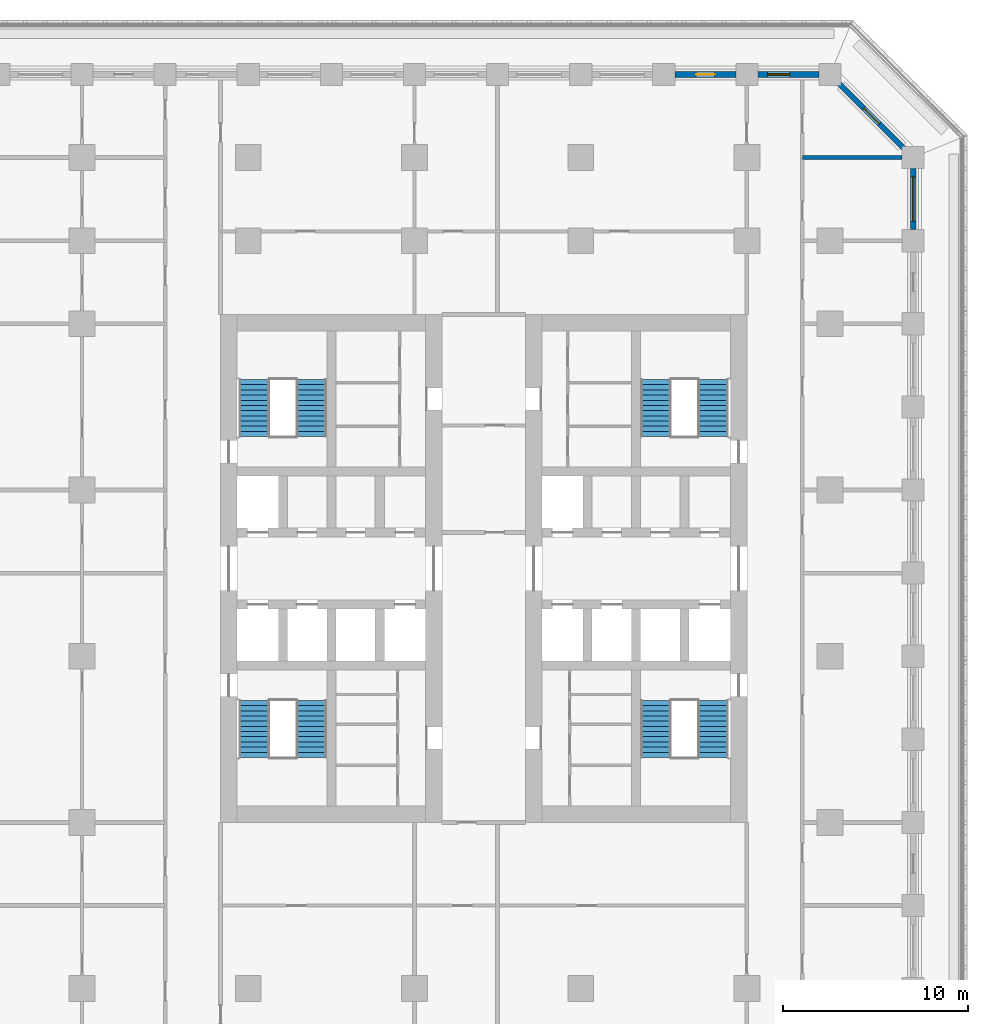
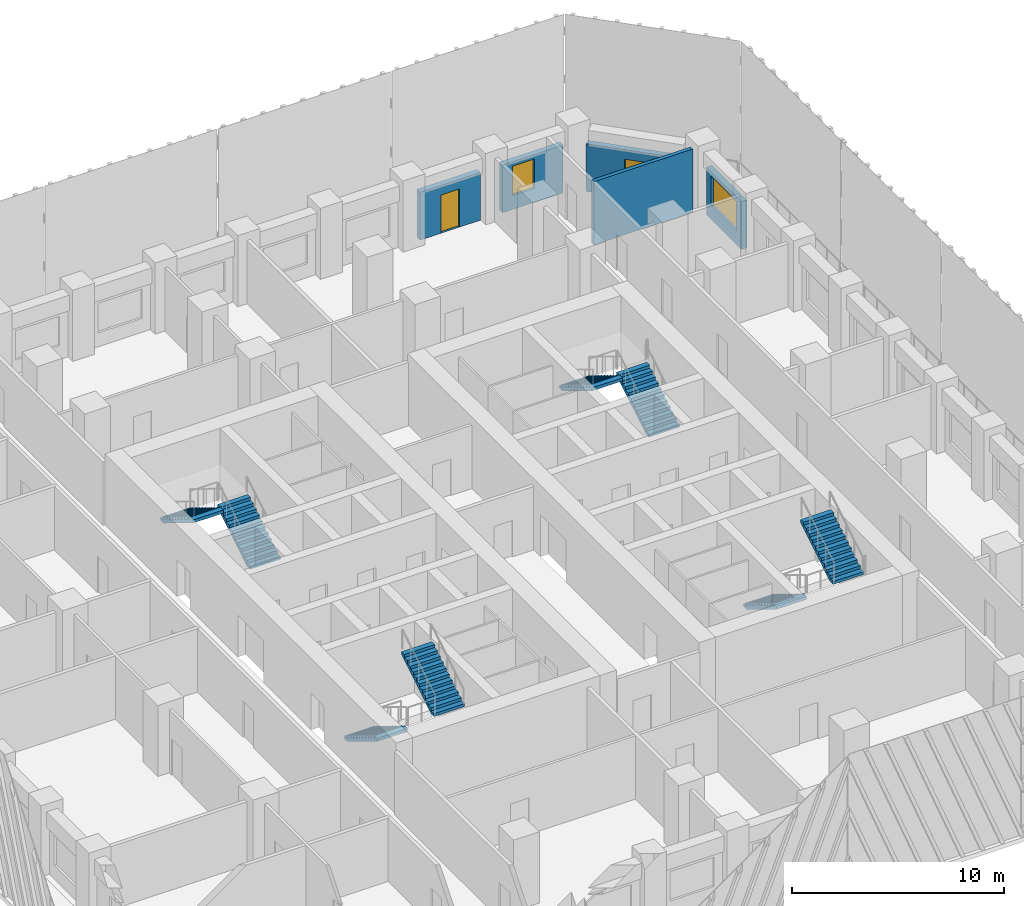
# One storey, part 9 of 19: 8 stair flights, 5 walls, 2 doors, 2 windows, 4 openings, 4 elements without a shape of their own.
"""IFC4 building model written with IfcOpenShell, lengths in metres."""

from ifc_helpers import new_model, si_unit, direction, frame, frame_2d, origin, place, context, subcontext, project, spatial, polyline, rectangle, outline, extrude, material, layer, layer_set, type_object, element, fill, aggregate, save


model = new_model("IFC4")

# Units and contexts
model_context = context("Model", 3, precision=1e-05, world=origin(), true_north=direction((0.0, 1.0)))
body_context = subcontext(model_context, "Body", "Model", "MODEL_VIEW")
ifc_project = project(units=[si_unit("LENGTHUNIT", "METRE"), si_unit("AREAUNIT", "SQUARE_METRE"), si_unit("VOLUMEUNIT", "CUBIC_METRE"), si_unit("PLANEANGLEUNIT", "RADIAN"), si_unit("MASSUNIT", "GRAM", prefix="KILO")], contexts=[model_context])

# Site, building, storey
site_placement = place(None, origin())
site = spatial("IfcSite", under=ifc_project, at=site_placement, CompositionType="ELEMENT")
building_placement = place(site_placement, origin())
building = spatial("IfcBuilding", under=site, at=building_placement, Name="Corbel Stack Research Tower", CompositionType="ELEMENT")
storey_placement = place(building_placement, frame((0.0, 0.0, 124.89990234375)))
storey = spatial("IfcBuildingStorey", under=building, at=storey_placement, Name="L28", CompositionType="ELEMENT", Elevation=124.89990234375)

# Wall
ifc_material_1 = material(Name="Fire-rated gypsum board partition on steel studs", Category="steel")
ifc_layer_1 = layer(ifc_material_1, 0.199951171875)
ifc_layer_set_1 = layer_set([ifc_layer_1], Name="Fire-rated gypsum board partition on steel studs")
wall_type_1 = type_object("IfcWallType", Name="Fire-rated partition 200 EI 60", PredefinedType="PARTITIONING", material=ifc_layer_set_1)
wall_1_placement = place(storey_placement, frame((21.0, 27.0, 0.0), z_axis=(0.0, 0.0, 1.0), x_axis=(1.0, 0.0, 0.0)))
element("IfcWall", 1, at=wall_1_placement, inside=storey, type_object=wall_type_1, Name="Partition L28-056", PredefinedType="PARTITIONING", context=body_context, shape_type="SweptSolid", body=[
    extrude(rectangle(XDim=5.39990234375, YDim=0.199951171875, at=frame_2d((2.699951171875, 0.0))), origin(), (0.0, 0.0, 1.0), 3.650146484375),
])

# Wall, opening, window
ifc_material_2 = material(Name="Concrete C45/55", Category="concrete")
ifc_layer_2 = layer(ifc_material_2, 0.300048828125)
ifc_layer_set_2 = layer_set([ifc_layer_2], Name="Concrete C45/55")
wall_type_2 = type_object("IfcWallType", Name="Terracotta-faced concrete wall 300", PredefinedType="SOLIDWALL", material=ifc_layer_set_2)
wall_2_placement = place(storey_placement, frame((27.0, 26.39990234375, 0.0), z_axis=(0.0, 0.0, 1.0), x_axis=(0.0, -1.0, 0.0)))
wall_2 = element("IfcWall", 2, at=wall_2_placement, inside=storey, type_object=wall_type_2, Name="Facade wall L28 E10", PredefinedType="SOLIDWALL", context=body_context, shape_type="SweptSolid", body=[
    extrude(rectangle(XDim=3.2998046875, YDim=0.300048828125, at=frame_2d((1.64990234375, 0.0))), origin(), (0.0, 0.0, 1.0), 2.75),
])
opening_1_placement = place(wall_2_placement, frame((0.449951171875, 0.0, 0.800048828125)))
opening_1 = element("IfcOpeningElement", 3, at=opening_1_placement, cuts=wall_2, Name="Opening W1", PredefinedType="OPENING", context=body_context, shape_type="SweptSolid", body=[
    extrude(rectangle(XDim=2.39990234375, YDim=1.699951171875, at=frame_2d((1.199951171875, 0.85009765625))), frame((0.0, 0.159912109375, 0.0), z_axis=(0.0, -1.0, 0.0), x_axis=(1.0, 0.0, 0.0)), (0.0, 0.0, 1.0), 0.320068359375),
])
ifc_material_3 = material(Name="Aluminium frame, clear double glazing", Category="aluminium")
window_type_1 = type_object("IfcWindowType", Name="Window W1 2400 x 1700", PartitioningType="SINGLE_PANEL", PredefinedType="WINDOW", material=ifc_material_3)
window_1_placement = place(opening_1_placement, origin())
window_1 = element("IfcWindow", 4, at=window_1_placement, inside=storey, type_object=window_type_1, Name="Window W1 L28 E10", OverallHeight=1.699951171875, OverallWidth=2.39990234375, PartitioningType="SINGLE_PANEL", PredefinedType="WINDOW", context=body_context, shape_type="SweptSolid", body=[
    extrude(rectangle(XDim=2.39990234375, YDim=1.699951171875, at=frame_2d((1.199951171875, 0.85009765625))), frame((0.0, 0.030029296875, 0.0), z_axis=(0.0, -1.0, 0.0), x_axis=(1.0, 0.0, 0.0)), (0.0, 0.0, 1.0), 0.06005859375),
])
fill(opening_1, window_1)

# Wall, opening, door
wall_3_placement = place(storey_placement, frame((22.993896484375, 31.006103515625, 0.0), z_axis=(0.0, 0.0, 1.0), x_axis=(0.707106781187, -0.707106781187, 0.0)))
wall_3 = element("IfcWall", 5, at=wall_3_placement, inside=storey, type_object=wall_type_2, Name="Facade wall L28 NE01", PredefinedType="SOLIDWALL", context=body_context, shape_type="SweptSolid", body=[
    extrude(rectangle(XDim=4.967041015625, YDim=0.300048828125, at=frame_2d((2.4833984375, 0.0))), origin(), (0.0, 0.0, 1.0), 2.75),
])
opening_2_placement = place(wall_3_placement, frame((1.883544921875, 0.0, 0.0)))
opening_2 = element("IfcOpeningElement", 6, at=opening_2_placement, cuts=wall_3, Name="Opening L28-B06", PredefinedType="OPENING", context=body_context, shape_type="SweptSolid", body=[
    extrude(rectangle(XDim=1.199951171875, YDim=2.199951171875, at=frame_2d((0.60009765625, 1.10009765625))), frame((0.0, 0.159912109375, 0.0), z_axis=(0.0, -1.0, 0.0), x_axis=(1.0, 0.0, 0.0)), (0.0, 0.0, 1.0), 0.320068359375),
])
ifc_material_4 = material(Name="Aluminium frame, clear double glazing", Category="aluminium")
door_type_1 = type_object("IfcDoorType", Name="Balcony door BD2 1200 x 2200", OperationType="NOTDEFINED", PredefinedType="DOOR", material=ifc_material_4)
door_1_placement = place(opening_2_placement, origin())
door_1 = element("IfcDoor", 7, at=door_1_placement, inside=storey, type_object=door_type_1, Name="Balcony door L28-B06", OperationType="SINGLE_SWING_LEFT", OverallHeight=2.199951171875, OverallWidth=1.199951171875, PredefinedType="DOOR", context=body_context, shape_type="SweptSolid", body=[
    extrude(rectangle(XDim=1.199951171875, YDim=2.199951171875, at=frame_2d((0.60009765625, 1.10009765625))), frame((0.0, 0.02490234375, 0.0), z_axis=(0.0, -1.0, 0.0), x_axis=(1.0, 0.0, 0.0)), (0.0, 0.0, 1.0), 0.050048828125),
])
fill(opening_2, door_1)

# Wall, opening, window
wall_4_placement = place(storey_placement, frame((18.60009765625, 31.5, 0.0), z_axis=(0.0, 0.0, 1.0), x_axis=(1.0, 0.0, 0.0)))
wall_4 = element("IfcWall", 8, at=wall_4_placement, inside=storey, type_object=wall_type_2, Name="Facade wall L28 N01", PredefinedType="SOLIDWALL", context=body_context, shape_type="SweptSolid", body=[
    extrude(rectangle(XDim=3.2998046875, YDim=0.300048828125, at=frame_2d((1.64990234375, 0.0))), origin(), (0.0, 0.0, 1.0), 2.75),
])
opening_3_placement = place(wall_4_placement, frame((0.52490234375, 0.0, 0.800048828125)))
opening_3 = element("IfcOpeningElement", 9, at=opening_3_placement, cuts=wall_4, Name="Opening W2", PredefinedType="OPENING", context=body_context, shape_type="SweptSolid", body=[
    extrude(rectangle(XDim=1.199951171875, YDim=1.699951171875, at=frame_2d((0.60009765625, 0.85009765625))), frame((0.0, 0.159912109375, 0.0), z_axis=(0.0, -1.0, 0.0), x_axis=(1.0, 0.0, 0.0)), (0.0, 0.0, 1.0), 0.320068359375),
])
ifc_material_5 = material(Name="Aluminium frame, clear double glazing", Category="aluminium")
window_type_2 = type_object("IfcWindowType", Name="Window W2 1200 x 1700", PartitioningType="SINGLE_PANEL", PredefinedType="WINDOW", material=ifc_material_5)
window_2_placement = place(opening_3_placement, origin())
window_2 = element("IfcWindow", 10, at=window_2_placement, inside=storey, type_object=window_type_2, Name="Window W2 L28 N01", OverallHeight=1.699951171875, OverallWidth=1.199951171875, PartitioningType="SINGLE_PANEL", PredefinedType="WINDOW", context=body_context, shape_type="SweptSolid", body=[
    extrude(rectangle(XDim=1.199951171875, YDim=1.699951171875, at=frame_2d((0.60009765625, 0.85009765625))), frame((0.0, 0.030029296875, 0.0), z_axis=(0.0, -1.0, 0.0), x_axis=(1.0, 0.0, 0.0)), (0.0, 0.0, 1.0), 0.06005859375),
])
fill(opening_3, window_2)

# Wall, opening, door
wall_5_placement = place(storey_placement, frame((14.10009765625, 31.5, 0.0), z_axis=(0.0, 0.0, 1.0), x_axis=(1.0, 0.0, 0.0)))
wall_5 = element("IfcWall", 11, at=wall_5_placement, inside=storey, type_object=wall_type_2, Name="Facade wall L28 N02", PredefinedType="SOLIDWALL", context=body_context, shape_type="SweptSolid", body=[
    extrude(rectangle(XDim=3.2998046875, YDim=0.300048828125, at=frame_2d((1.64990234375, 0.0))), origin(), (0.0, 0.0, 1.0), 2.75),
])
opening_4_placement = place(wall_5_placement, frame((1.14990234375, 0.0, 0.0)))
opening_4 = element("IfcOpeningElement", 12, at=opening_4_placement, cuts=wall_5, Name="Opening L28-B07", PredefinedType="OPENING", context=body_context, shape_type="SweptSolid", body=[
    extrude(rectangle(XDim=1.0, YDim=2.199951171875, at=frame_2d((0.5, 1.10009765625))), frame((0.0, 0.159912109375, 0.0), z_axis=(0.0, -1.0, 0.0), x_axis=(1.0, 0.0, 0.0)), (0.0, 0.0, 1.0), 0.320068359375),
])
ifc_material_6 = material(Name="Aluminium frame, clear double glazing", Category="aluminium")
door_type_2 = type_object("IfcDoorType", Name="Balcony door BD1 1000 x 2200", OperationType="NOTDEFINED", PredefinedType="DOOR", material=ifc_material_6)
door_2_placement = place(opening_4_placement, origin())
door_2 = element("IfcDoor", 13, at=door_2_placement, inside=storey, type_object=door_type_2, Name="Balcony door L28-B07", OperationType="SINGLE_SWING_RIGHT", OverallHeight=2.199951171875, OverallWidth=1.0, PredefinedType="DOOR", context=body_context, shape_type="SweptSolid", body=[
    extrude(rectangle(XDim=1.0, YDim=2.199951171875, at=frame_2d((0.5, 1.10009765625))), frame((0.0, 0.02490234375, 0.0), z_axis=(0.0, -1.0, 0.0), x_axis=(1.0, 0.0, 0.0)), (0.0, 0.0, 1.0), 0.050048828125),
])
fill(opening_4, door_2)

# Stair, stair flights
ifc_material_7 = material(Name="Concrete C40/50", Category="concrete")
stair_type = type_object("IfcStairType", Name="Exit stair 24 risers", PredefinedType="HALF_TURN_STAIR", material=ifc_material_7)
stair_1_placement = place(storey_placement, origin())
stair_1 = element("IfcStair", 14, at=stair_1_placement, inside=storey, type_object=stair_type, Name="L28 Exit stair ST-W1", PredefinedType="HALF_TURN_STAIR")
ifc_material_8 = material(Name="Concrete C40/50", Category="concrete")
stair_flight_type = type_object("IfcStairFlightType", Name="Stair flight 12 risers", PredefinedType="STRAIGHT", material=ifc_material_8)
stair_flight_1_placement = place(storey_placement, frame((-8.675048828125, -2.39990234375, 0.0), z_axis=(0.0, 0.0, 1.0), x_axis=(0.0, -1.0, 0.0)))
stair_flight_1 = element("IfcStairFlight", 15, at=stair_flight_1_placement, type_object=stair_flight_type, Name="ST-W1 flight 1", NumberOfRisers=12, NumberOfTreads=11, PredefinedType="STRAIGHT", RiserHeight=0.170833333, TreadLength=0.28, context=body_context, shape_type="SweptSolid", body=[
    extrude(outline(polyline([(0.0, 0.0), (0.0, 0.1708984375), (0.280029296875, 0.1708984375), (0.280029296875, 0.341552734375), (0.56005859375, 0.341552734375), (0.56005859375, 0.512451171875), (0.840087890625, 0.512451171875), (0.840087890625, 0.683349609375), (1.1201171875, 0.683349609375), (1.1201171875, 0.854248046875), (1.39990234375, 0.854248046875), (1.39990234375, 1.02490234375), (1.679931640625, 1.02490234375), (1.679931640625, 1.19580078125), (1.9599609375, 1.19580078125), (1.9599609375, 1.36669921875), (2.239990234375, 1.36669921875), (2.239990234375, 1.53759765625), (2.52001953125, 1.53759765625), (2.52001953125, 1.708251953125), (2.800048828125, 1.708251953125), (2.800048828125, 1.879150390625), (3.080078125, 1.879150390625), (3.080078125, 2.050048828125), (3.080078125, 1.70361328125), (0.287841796875, 0.0), (0.0, 0.0)])), frame((0.0, 0.824951171875, 0.0), z_axis=(0.0, -1.0, 0.0), x_axis=(1.0, 0.0, 0.0)), (0.0, 0.0, 1.0), 1.64990234375),
])
stair_flight_2_placement = place(storey_placement, frame((-5.574951171875, -5.47998046875, 2.050048828125), z_axis=(0.0, 0.0, 1.0), x_axis=(0.0, 1.0, 0.0)))
stair_flight_2 = element("IfcStairFlight", 16, at=stair_flight_2_placement, type_object=stair_flight_type, Name="ST-W1 flight 2", NumberOfRisers=12, NumberOfTreads=11, PredefinedType="STRAIGHT", RiserHeight=0.170833333, TreadLength=0.28, context=body_context, shape_type="SweptSolid", body=[
    extrude(outline(polyline([(0.0, 0.0), (0.0, 0.1708984375), (0.280029296875, 0.1708984375), (0.280029296875, 0.341552734375), (0.56005859375, 0.341552734375), (0.56005859375, 0.512451171875), (0.840087890625, 0.512451171875), (0.840087890625, 0.683349609375), (1.1201171875, 0.683349609375), (1.1201171875, 0.854248046875), (1.39990234375, 0.854248046875), (1.39990234375, 1.02490234375), (1.679931640625, 1.02490234375), (1.679931640625, 1.19580078125), (1.9599609375, 1.19580078125), (1.9599609375, 1.36669921875), (2.239990234375, 1.36669921875), (2.239990234375, 1.53759765625), (2.52001953125, 1.53759765625), (2.52001953125, 1.708251953125), (2.800048828125, 1.708251953125), (2.800048828125, 1.879150390625), (3.080078125, 1.879150390625), (3.080078125, 2.050048828125), (3.080078125, 1.70361328125), (0.287841796875, 0.0), (0.0, 0.0)])), frame((0.0, 0.824951171875, 0.0), z_axis=(0.0, -1.0, 0.0), x_axis=(1.0, 0.0, 0.0)), (0.0, 0.0, 1.0), 1.64990234375),
])
aggregate(stair_1, [stair_flight_1, stair_flight_2])

stair_2_placement = place(storey_placement, origin())
stair_2 = element("IfcStair", 17, at=stair_2_placement, inside=storey, type_object=stair_type, Name="L28 Exit stair ST-W2", PredefinedType="HALF_TURN_STAIR")
stair_flight_3_placement = place(storey_placement, frame((-5.574951171875, 11.89990234375, 0.0), z_axis=(0.0, 0.0, 1.0), x_axis=(0.0, 1.0, 0.0)))
stair_flight_3 = element("IfcStairFlight", 18, at=stair_flight_3_placement, type_object=stair_flight_type, Name="ST-W2 flight 1", NumberOfRisers=12, NumberOfTreads=11, PredefinedType="STRAIGHT", RiserHeight=0.170833333, TreadLength=0.28, context=body_context, shape_type="SweptSolid", body=[
    extrude(outline(polyline([(0.0, 0.0), (0.0, 0.1708984375), (0.280029296875, 0.1708984375), (0.280029296875, 0.341552734375), (0.56005859375, 0.341552734375), (0.56005859375, 0.512451171875), (0.840087890625, 0.512451171875), (0.840087890625, 0.683349609375), (1.1201171875, 0.683349609375), (1.1201171875, 0.854248046875), (1.39990234375, 0.854248046875), (1.39990234375, 1.02490234375), (1.679931640625, 1.02490234375), (1.679931640625, 1.19580078125), (1.9599609375, 1.19580078125), (1.9599609375, 1.36669921875), (2.239990234375, 1.36669921875), (2.239990234375, 1.53759765625), (2.52001953125, 1.53759765625), (2.52001953125, 1.708251953125), (2.800048828125, 1.708251953125), (2.800048828125, 1.879150390625), (3.080078125, 1.879150390625), (3.080078125, 2.050048828125), (3.080078125, 1.70361328125), (0.287841796875, 0.0), (0.0, 0.0)])), frame((0.0, 0.824951171875, 0.0), z_axis=(0.0, -1.0, 0.0), x_axis=(1.0, 0.0, 0.0)), (0.0, 0.0, 1.0), 1.64990234375),
])
stair_flight_4_placement = place(storey_placement, frame((-8.675048828125, 14.97998046875, 2.050048828125), z_axis=(0.0, 0.0, 1.0), x_axis=(0.0, -1.0, 0.0)))
stair_flight_4 = element("IfcStairFlight", 19, at=stair_flight_4_placement, type_object=stair_flight_type, Name="ST-W2 flight 2", NumberOfRisers=12, NumberOfTreads=11, PredefinedType="STRAIGHT", RiserHeight=0.170833333, TreadLength=0.28, context=body_context, shape_type="SweptSolid", body=[
    extrude(outline(polyline([(0.0, 0.0), (0.0, 0.1708984375), (0.280029296875, 0.1708984375), (0.280029296875, 0.341552734375), (0.56005859375, 0.341552734375), (0.56005859375, 0.512451171875), (0.840087890625, 0.512451171875), (0.840087890625, 0.683349609375), (1.1201171875, 0.683349609375), (1.1201171875, 0.854248046875), (1.39990234375, 0.854248046875), (1.39990234375, 1.02490234375), (1.679931640625, 1.02490234375), (1.679931640625, 1.19580078125), (1.9599609375, 1.19580078125), (1.9599609375, 1.36669921875), (2.239990234375, 1.36669921875), (2.239990234375, 1.53759765625), (2.52001953125, 1.53759765625), (2.52001953125, 1.708251953125), (2.800048828125, 1.708251953125), (2.800048828125, 1.879150390625), (3.080078125, 1.879150390625), (3.080078125, 2.050048828125), (3.080078125, 1.70361328125), (0.287841796875, 0.0), (0.0, 0.0)])), frame((0.0, 0.824951171875, 0.0), z_axis=(0.0, -1.0, 0.0), x_axis=(1.0, 0.0, 0.0)), (0.0, 0.0, 1.0), 1.64990234375),
])
aggregate(stair_2, [stair_flight_3, stair_flight_4])

stair_3_placement = place(storey_placement, origin())
stair_3 = element("IfcStair", 20, at=stair_3_placement, inside=storey, type_object=stair_type, Name="L28 Exit stair ST-E1", PredefinedType="HALF_TURN_STAIR")
stair_flight_5_placement = place(storey_placement, frame((13.074951171875, -2.39990234375, 0.0), z_axis=(0.0, 0.0, 1.0), x_axis=(0.0, -1.0, 0.0)))
stair_flight_5 = element("IfcStairFlight", 21, at=stair_flight_5_placement, type_object=stair_flight_type, Name="ST-E1 flight 1", NumberOfRisers=12, NumberOfTreads=11, PredefinedType="STRAIGHT", RiserHeight=0.170833333, TreadLength=0.28, context=body_context, shape_type="SweptSolid", body=[
    extrude(outline(polyline([(0.0, 0.0), (0.0, 0.1708984375), (0.280029296875, 0.1708984375), (0.280029296875, 0.341552734375), (0.56005859375, 0.341552734375), (0.56005859375, 0.512451171875), (0.840087890625, 0.512451171875), (0.840087890625, 0.683349609375), (1.1201171875, 0.683349609375), (1.1201171875, 0.854248046875), (1.39990234375, 0.854248046875), (1.39990234375, 1.02490234375), (1.679931640625, 1.02490234375), (1.679931640625, 1.19580078125), (1.9599609375, 1.19580078125), (1.9599609375, 1.36669921875), (2.239990234375, 1.36669921875), (2.239990234375, 1.53759765625), (2.52001953125, 1.53759765625), (2.52001953125, 1.708251953125), (2.800048828125, 1.708251953125), (2.800048828125, 1.879150390625), (3.080078125, 1.879150390625), (3.080078125, 2.050048828125), (3.080078125, 1.70361328125), (0.287841796875, 0.0), (0.0, 0.0)])), frame((0.0, 0.824951171875, 0.0), z_axis=(0.0, -1.0, 0.0), x_axis=(1.0, 0.0, 0.0)), (0.0, 0.0, 1.0), 1.64990234375),
])
stair_flight_6_placement = place(storey_placement, frame((16.175048828125, -5.47998046875, 2.050048828125), z_axis=(0.0, 0.0, 1.0), x_axis=(0.0, 1.0, 0.0)))
stair_flight_6 = element("IfcStairFlight", 22, at=stair_flight_6_placement, type_object=stair_flight_type, Name="ST-E1 flight 2", NumberOfRisers=12, NumberOfTreads=11, PredefinedType="STRAIGHT", RiserHeight=0.170833333, TreadLength=0.28, context=body_context, shape_type="SweptSolid", body=[
    extrude(outline(polyline([(0.0, 0.0), (0.0, 0.1708984375), (0.280029296875, 0.1708984375), (0.280029296875, 0.341552734375), (0.56005859375, 0.341552734375), (0.56005859375, 0.512451171875), (0.840087890625, 0.512451171875), (0.840087890625, 0.683349609375), (1.1201171875, 0.683349609375), (1.1201171875, 0.854248046875), (1.39990234375, 0.854248046875), (1.39990234375, 1.02490234375), (1.679931640625, 1.02490234375), (1.679931640625, 1.19580078125), (1.9599609375, 1.19580078125), (1.9599609375, 1.36669921875), (2.239990234375, 1.36669921875), (2.239990234375, 1.53759765625), (2.52001953125, 1.53759765625), (2.52001953125, 1.708251953125), (2.800048828125, 1.708251953125), (2.800048828125, 1.879150390625), (3.080078125, 1.879150390625), (3.080078125, 2.050048828125), (3.080078125, 1.70361328125), (0.287841796875, 0.0), (0.0, 0.0)])), frame((0.0, 0.824951171875, 0.0), z_axis=(0.0, -1.0, 0.0), x_axis=(1.0, 0.0, 0.0)), (0.0, 0.0, 1.0), 1.64990234375),
])
aggregate(stair_3, [stair_flight_5, stair_flight_6])

stair_4_placement = place(storey_placement, origin())
stair_4 = element("IfcStair", 23, at=stair_4_placement, inside=storey, type_object=stair_type, Name="L28 Exit stair ST-E2", PredefinedType="HALF_TURN_STAIR")
stair_flight_7_placement = place(storey_placement, frame((16.175048828125, 11.89990234375, 0.0), z_axis=(0.0, 0.0, 1.0), x_axis=(0.0, 1.0, 0.0)))
stair_flight_7 = element("IfcStairFlight", 24, at=stair_flight_7_placement, type_object=stair_flight_type, Name="ST-E2 flight 1", NumberOfRisers=12, NumberOfTreads=11, PredefinedType="STRAIGHT", RiserHeight=0.170833333, TreadLength=0.28, context=body_context, shape_type="SweptSolid", body=[
    extrude(outline(polyline([(0.0, 0.0), (0.0, 0.1708984375), (0.280029296875, 0.1708984375), (0.280029296875, 0.341552734375), (0.56005859375, 0.341552734375), (0.56005859375, 0.512451171875), (0.840087890625, 0.512451171875), (0.840087890625, 0.683349609375), (1.1201171875, 0.683349609375), (1.1201171875, 0.854248046875), (1.39990234375, 0.854248046875), (1.39990234375, 1.02490234375), (1.679931640625, 1.02490234375), (1.679931640625, 1.19580078125), (1.9599609375, 1.19580078125), (1.9599609375, 1.36669921875), (2.239990234375, 1.36669921875), (2.239990234375, 1.53759765625), (2.52001953125, 1.53759765625), (2.52001953125, 1.708251953125), (2.800048828125, 1.708251953125), (2.800048828125, 1.879150390625), (3.080078125, 1.879150390625), (3.080078125, 2.050048828125), (3.080078125, 1.70361328125), (0.287841796875, 0.0), (0.0, 0.0)])), frame((0.0, 0.824951171875, 0.0), z_axis=(0.0, -1.0, 0.0), x_axis=(1.0, 0.0, 0.0)), (0.0, 0.0, 1.0), 1.64990234375),
])
stair_flight_8_placement = place(storey_placement, frame((13.074951171875, 14.97998046875, 2.050048828125), z_axis=(0.0, 0.0, 1.0), x_axis=(0.0, -1.0, 0.0)))
stair_flight_8 = element("IfcStairFlight", 25, at=stair_flight_8_placement, type_object=stair_flight_type, Name="ST-E2 flight 2", NumberOfRisers=12, NumberOfTreads=11, PredefinedType="STRAIGHT", RiserHeight=0.170833333, TreadLength=0.28, context=body_context, shape_type="SweptSolid", body=[
    extrude(outline(polyline([(0.0, 0.0), (0.0, 0.1708984375), (0.280029296875, 0.1708984375), (0.280029296875, 0.341552734375), (0.56005859375, 0.341552734375), (0.56005859375, 0.512451171875), (0.840087890625, 0.512451171875), (0.840087890625, 0.683349609375), (1.1201171875, 0.683349609375), (1.1201171875, 0.854248046875), (1.39990234375, 0.854248046875), (1.39990234375, 1.02490234375), (1.679931640625, 1.02490234375), (1.679931640625, 1.19580078125), (1.9599609375, 1.19580078125), (1.9599609375, 1.36669921875), (2.239990234375, 1.36669921875), (2.239990234375, 1.53759765625), (2.52001953125, 1.53759765625), (2.52001953125, 1.708251953125), (2.800048828125, 1.708251953125), (2.800048828125, 1.879150390625), (3.080078125, 1.879150390625), (3.080078125, 2.050048828125), (3.080078125, 1.70361328125), (0.287841796875, 0.0), (0.0, 0.0)])), frame((0.0, 0.824951171875, 0.0), z_axis=(0.0, -1.0, 0.0), x_axis=(1.0, 0.0, 0.0)), (0.0, 0.0, 1.0), 1.64990234375),
])
aggregate(stair_4, [stair_flight_7, stair_flight_8])

save(model, "model.ifc")
